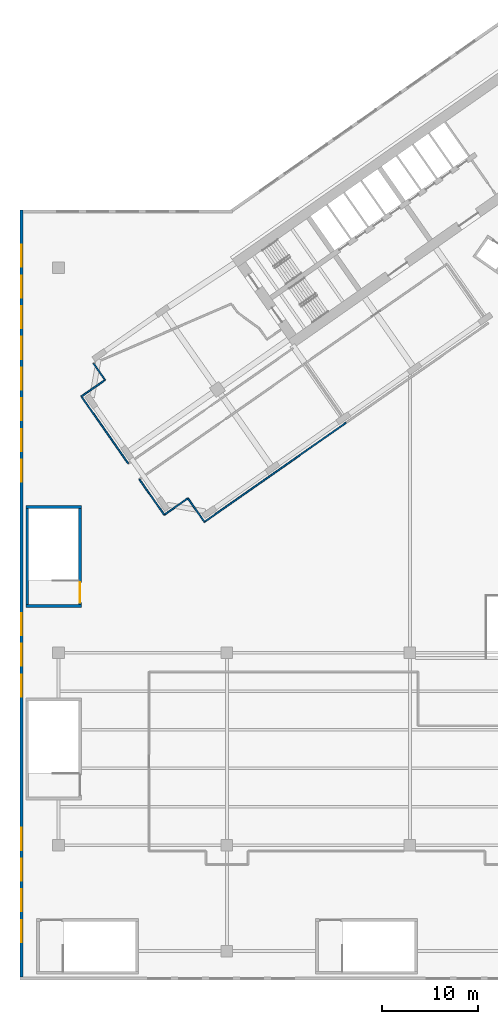
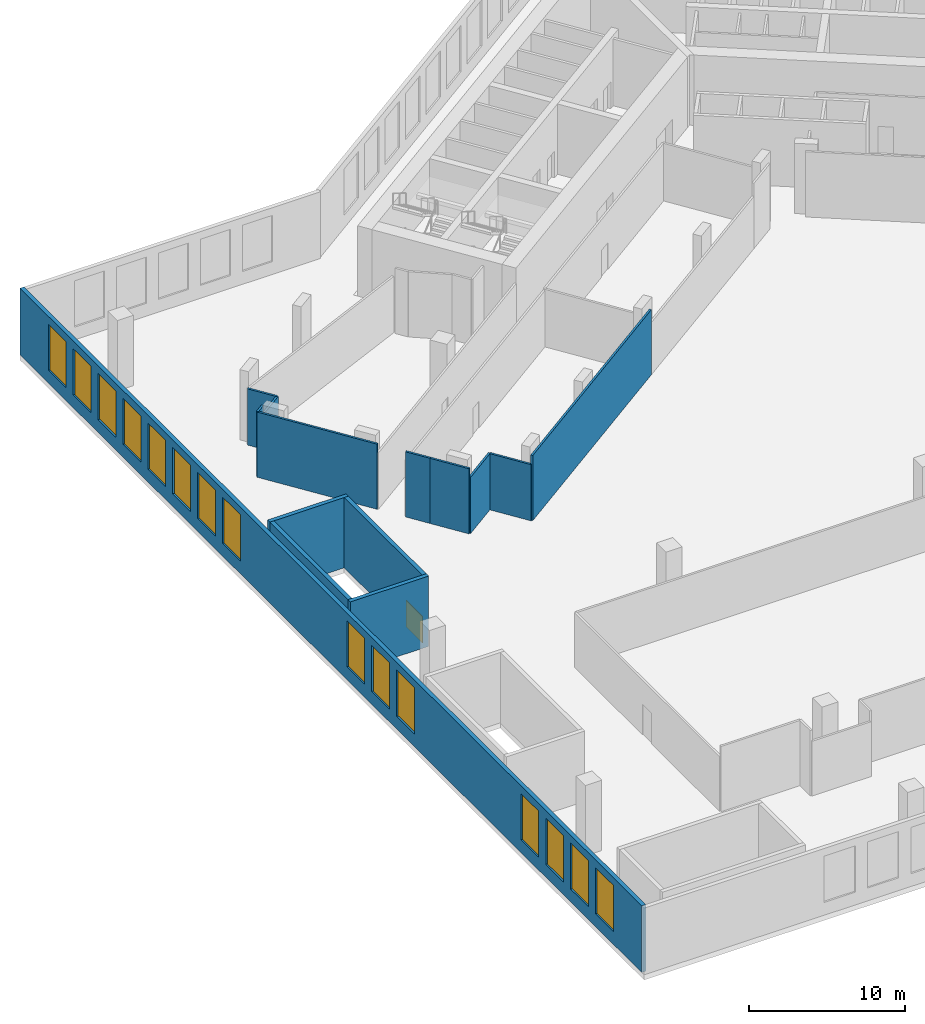
# One storey, part 4 of 15: 15 windows, 14 walls, 1 door, 16 openings.
"""IFC4 building model written with IfcOpenShell, lengths in metres."""

from ifc_helpers import new_model, si_unit, direction, frame, frame_2d, origin, place, context, subcontext, project, spatial, rectangle, extrude, material, layer, layer_set, type_object, element, fill, save


model = new_model("IFC4")

# Units and contexts
model_context = context("Model", 3, precision=1e-05, world=origin(), true_north=direction((0.0, 1.0)))
body_context = subcontext(model_context, "Body", "Model", "MODEL_VIEW")
ifc_project = project(units=[si_unit("LENGTHUNIT", "METRE"), si_unit("AREAUNIT", "SQUARE_METRE"), si_unit("VOLUMEUNIT", "CUBIC_METRE"), si_unit("PLANEANGLEUNIT", "RADIAN"), si_unit("MASSUNIT", "GRAM", prefix="KILO")], contexts=[model_context])

# Site, building, storey
site_placement = place(None, origin())
site = spatial("IfcSite", under=ifc_project, at=site_placement, CompositionType="ELEMENT")
building_placement = place(site_placement, origin())
building = spatial("IfcBuilding", under=site, at=building_placement, Name="Tel Ilan Convention Tower", CompositionType="ELEMENT")
storey_placement = place(building_placement, frame((0.0, 0.0, 43.0)))
storey = spatial("IfcBuildingStorey", under=building, at=storey_placement, Name="L06", CompositionType="ELEMENT", Elevation=43.0)

# Walls
ifc_material_1 = material(Name="Plasterboard on Steel Studs", Category="steel")
ifc_layer_1 = layer(ifc_material_1, 0.14990234375)
ifc_layer_set_1 = layer_set([ifc_layer_1], Name="Fire-rated Partition 150 EI 60")
wall_type_1 = type_object("IfcWallType", Name="Fire-rated Partition 150 EI 60", PredefinedType="PARTITIONING", material=ifc_layer_set_1)
wall_1_placement = place(storey_placement, frame((-35.016845703125, -33.676025390625, 0.0), z_axis=(0.0, 0.0, 1.0), x_axis=(0.81917072002, 0.573549763719, 0.0)))
element("IfcWall", 1, at=wall_1_placement, inside=storey, type_object=wall_type_1, Name="Partition 036", PredefinedType="PARTITIONING", context=body_context, shape_type="SweptSolid", body=[
    extrude(rectangle(XDim=2.998779296875, YDim=0.14990234375, at=frame_2d((1.49951171875, 0.0))), origin(), (0.0, 0.0, 1.0), 4.39990234375),
])
wall_2_placement = place(storey_placement, frame((-32.560302734375, -31.9560546875, 0.0), z_axis=(0.0, 0.0, 1.0), x_axis=(0.573604390867, -0.819132469615, 0.0)))
element("IfcWall", 2, at=wall_2_placement, inside=storey, type_object=wall_type_1, Name="Partition 037", PredefinedType="PARTITIONING", context=body_context, shape_type="SweptSolid", body=[
    extrude(rectangle(XDim=2.9990234375, YDim=0.14990234375, at=frame_2d((1.49951171875, 0.0))), origin(), (0.0, 0.0, 1.0), 4.39990234375),
])
wall_3_placement = place(storey_placement, frame((-30.838623046875, -34.412841796875, 0.0), z_axis=(0.0, 0.0, 1.0), x_axis=(0.819149083218, 0.573580665175, 0.0)))
element("IfcWall", 3, at=wall_3_placement, inside=storey, type_object=wall_type_1, Name="Partition 038", PredefinedType="PARTITIONING", context=body_context, shape_type="SweptSolid", body=[
    extrude(rectangle(XDim=18.001708984375, YDim=0.14990234375, at=frame_2d((9.0009765625, 0.0))), origin(), (0.0, 0.0, 1.0), 5.10009765625),
])
wall_4_placement = place(storey_placement, frame((-36.59912109375, -31.41845703125, 0.0), z_axis=(0.0, 0.0, 1.0), x_axis=(0.57362881286, -0.819115367367, 0.0)))
element("IfcWall", 4, at=wall_4_placement, inside=storey, type_object=wall_type_1, Name="Partition 039", PredefinedType="PARTITIONING", context=body_context, shape_type="SweptSolid", body=[
    extrude(rectangle(XDim=2.755859375, YDim=0.14990234375, at=frame_2d((1.3779296875, 0.0))), origin(), (0.0, 0.0, 1.0), 5.10009765625),
])
wall_5_placement = place(storey_placement, frame((-42.359375, -17.96142578125, 0.0), z_axis=(0.0, 0.0, 1.0), x_axis=(0.573603984281, -0.819132754331, 0.0)))
element("IfcWall", 5, at=wall_5_placement, inside=storey, type_object=wall_type_1, Name="Partition 043", PredefinedType="PARTITIONING", context=body_context, shape_type="SweptSolid", body=[
    extrude(rectangle(XDim=2.082275390625, YDim=0.14990234375, at=frame_2d((1.041015625, 0.0))), origin(), (0.0, 0.0, 1.0), 4.39990234375),
])
wall_6_placement = place(storey_placement, frame((-41.1650390625, -19.6669921875, 0.0), z_axis=(0.0, 0.0, 1.0), x_axis=(-0.819149945048, -0.573579434366, 0.0)))
element("IfcWall", 6, at=wall_6_placement, inside=storey, type_object=wall_type_1, Name="Partition 044", PredefinedType="PARTITIONING", context=body_context, shape_type="SweptSolid", body=[
    extrude(rectangle(XDim=2.23876953125, YDim=0.14990234375, at=frame_2d((1.119384765625, 0.0))), origin(), (0.0, 0.0, 1.0), 4.39990234375),
])
wall_7_placement = place(storey_placement, frame((-43.621826171875, -21.38720703125, 0.0), z_axis=(0.0, 0.0, 1.0), x_axis=(0.573487395822, -0.819214383928, 0.0)))
element("IfcWall", 7, at=wall_7_placement, inside=storey, type_object=wall_type_1, Name="Partition 061", PredefinedType="PARTITIONING", context=body_context, shape_type="SweptSolid", body=[
    extrude(rectangle(XDim=8.502685546875, YDim=0.14990234375, at=frame_2d((4.25146484375, 0.0))), origin(), (0.0, 0.0, 1.0), 5.10009765625),
])
wall_8_placement = place(storey_placement, frame((-43.0, -20.951904296875, 0.0), z_axis=(0.0, 0.0, 1.0), x_axis=(-0.819216809636, -0.573483930734, 0.0)))
element("IfcWall", 8, at=wall_8_placement, inside=storey, type_object=wall_type_1, Name="Partition 062", PredefinedType="PARTITIONING", context=body_context, shape_type="SweptSolid", body=[
    extrude(rectangle(XDim=0.759033203125, YDim=0.14990234375, at=frame_2d((0.37939453125, 0.0))), origin(), (0.0, 0.0, 1.0), 5.10009765625),
])
wall_9_placement = place(storey_placement, frame((-37.600341796875, -29.98828125, 0.0), z_axis=(0.0, 0.0, 1.0), x_axis=(0.573518712821, -0.819192459709, 0.0)))
element("IfcWall", 9, at=wall_9_placement, inside=storey, type_object=wall_type_1, Name="Partition 063", PredefinedType="PARTITIONING", context=body_context, shape_type="SweptSolid", body=[
    extrude(rectangle(XDim=1.744140625, YDim=0.14990234375, at=frame_2d((0.8720703125, 0.0))), origin(), (0.0, 0.0, 1.0), 5.10009765625),
])

# Wall, openings, windows
ifc_material_2 = material(Name="Bronze aluminium cladding panel on insulated steel frame", Category="steel")
ifc_layer_2 = layer(ifc_material_2, 0.300048828125)
ifc_layer_set_2 = layer_set([ifc_layer_2], Name="PODIUM CLADDING WALL 300")
wall_type_2 = type_object("IfcWallType", Name="PODIUM CLADDING WALL 300", PredefinedType="SOLIDWALL", material=ifc_layer_set_2)
wall_10_placement = place(storey_placement, frame((-49.85009765625, -81.699951171875, 0.0), z_axis=(0.0, 0.0, 1.0), x_axis=(0.0, 1.0, 0.0)))
wall_10 = element("IfcWall", 10, at=wall_10_placement, inside=storey, type_object=wall_type_2, Name="Podium cladding wall", PredefinedType="SOLIDWALL", context=body_context, shape_type="SweptSolid", body=[
    extrude(rectangle(XDim=79.699951171875, YDim=0.300048828125, at=frame_2d((39.85009765625, 0.0))), origin(), (0.0, 0.0, 1.0), 5.219970703125),
])
opening_1_placement = place(wall_10_placement, frame((3.637939453125, 0.0, 1.0)))
opening_1 = element("IfcOpeningElement", 11, at=opening_1_placement, cuts=wall_10, Name="Opening W-09.016", PredefinedType="OPENING", context=body_context, shape_type="SweptSolid", body=[
    extrude(rectangle(XDim=2.2880859375, YDim=3.6201171875, at=frame_2d((1.14404296875, 1.81005859375))), frame((0.0, 0.159912109375, 0.0), z_axis=(0.0, -1.0, 0.0), x_axis=(1.0, 0.0, 0.0)), (0.0, 0.0, 1.0), 0.320068359375),
])
opening_2_placement = place(wall_10_placement, frame((6.825927734375, 0.0, 1.0)))
opening_2 = element("IfcOpeningElement", 12, at=opening_2_placement, cuts=wall_10, Name="Opening W-09.017", PredefinedType="OPENING", context=body_context, shape_type="SweptSolid", body=[
    extrude(rectangle(XDim=2.2880859375, YDim=3.6201171875, at=frame_2d((1.14404296875, 1.81005859375))), frame((0.0, 0.159912109375, 0.0), z_axis=(0.0, -1.0, 0.0), x_axis=(1.0, 0.0, 0.0)), (0.0, 0.0, 1.0), 0.320068359375),
])
opening_3_placement = place(wall_10_placement, frame((10.013916015625, 0.0, 1.0)))
opening_3 = element("IfcOpeningElement", 13, at=opening_3_placement, cuts=wall_10, Name="Opening W-09.018", PredefinedType="OPENING", context=body_context, shape_type="SweptSolid", body=[
    extrude(rectangle(XDim=2.2880859375, YDim=3.6201171875, at=frame_2d((1.14404296875, 1.81005859375))), frame((0.0, 0.159912109375, 0.0), z_axis=(0.0, -1.0, 0.0), x_axis=(1.0, 0.0, 0.0)), (0.0, 0.0, 1.0), 0.320068359375),
])
opening_4_placement = place(wall_10_placement, frame((13.201904296875, 0.0, 1.0)))
opening_4 = element("IfcOpeningElement", 14, at=opening_4_placement, cuts=wall_10, Name="Opening W-09.019", PredefinedType="OPENING", context=body_context, shape_type="SweptSolid", body=[
    extrude(rectangle(XDim=2.2880859375, YDim=3.6201171875, at=frame_2d((1.14404296875, 1.81005859375))), frame((0.0, 0.159912109375, 0.0), z_axis=(0.0, -1.0, 0.0), x_axis=(1.0, 0.0, 0.0)), (0.0, 0.0, 1.0), 0.320068359375),
])
opening_5_placement = place(wall_10_placement, frame((29.14208984375, 0.0, 1.0)))
opening_5 = element("IfcOpeningElement", 15, at=opening_5_placement, cuts=wall_10, Name="Opening W-09.020", PredefinedType="OPENING", context=body_context, shape_type="SweptSolid", body=[
    extrude(rectangle(XDim=2.2880859375, YDim=3.6201171875, at=frame_2d((1.14404296875, 1.81005859375))), frame((0.0, 0.159912109375, 0.0), z_axis=(0.0, -1.0, 0.0), x_axis=(1.0, 0.0, 0.0)), (0.0, 0.0, 1.0), 0.320068359375),
])
opening_6_placement = place(wall_10_placement, frame((32.330078125, 0.0, 1.0)))
opening_6 = element("IfcOpeningElement", 16, at=opening_6_placement, cuts=wall_10, Name="Opening W-09.021", PredefinedType="OPENING", context=body_context, shape_type="SweptSolid", body=[
    extrude(rectangle(XDim=2.2880859375, YDim=3.6201171875, at=frame_2d((1.14404296875, 1.81005859375))), frame((0.0, 0.159912109375, 0.0), z_axis=(0.0, -1.0, 0.0), x_axis=(1.0, 0.0, 0.0)), (0.0, 0.0, 1.0), 0.320068359375),
])
opening_7_placement = place(wall_10_placement, frame((35.51806640625, 0.0, 1.0)))
opening_7 = element("IfcOpeningElement", 17, at=opening_7_placement, cuts=wall_10, Name="Opening W-09.022", PredefinedType="OPENING", context=body_context, shape_type="SweptSolid", body=[
    extrude(rectangle(XDim=2.2880859375, YDim=3.6201171875, at=frame_2d((1.14404296875, 1.81005859375))), frame((0.0, 0.159912109375, 0.0), z_axis=(0.0, -1.0, 0.0), x_axis=(1.0, 0.0, 0.0)), (0.0, 0.0, 1.0), 0.320068359375),
])
opening_8_placement = place(wall_10_placement, frame((51.4580078125, 0.0, 1.0)))
opening_8 = element("IfcOpeningElement", 18, at=opening_8_placement, cuts=wall_10, Name="Opening W-09.023", PredefinedType="OPENING", context=body_context, shape_type="SweptSolid", body=[
    extrude(rectangle(XDim=2.2880859375, YDim=3.6201171875, at=frame_2d((1.14404296875, 1.81005859375))), frame((0.0, 0.159912109375, 0.0), z_axis=(0.0, -1.0, 0.0), x_axis=(1.0, 0.0, 0.0)), (0.0, 0.0, 1.0), 0.320068359375),
])
opening_9_placement = place(wall_10_placement, frame((54.64599609375, 0.0, 1.0)))
opening_9 = element("IfcOpeningElement", 19, at=opening_9_placement, cuts=wall_10, Name="Opening W-09.024", PredefinedType="OPENING", context=body_context, shape_type="SweptSolid", body=[
    extrude(rectangle(XDim=2.2880859375, YDim=3.6201171875, at=frame_2d((1.14404296875, 1.81005859375))), frame((0.0, 0.159912109375, 0.0), z_axis=(0.0, -1.0, 0.0), x_axis=(1.0, 0.0, 0.0)), (0.0, 0.0, 1.0), 0.320068359375),
])
opening_10_placement = place(wall_10_placement, frame((57.833984375, 0.0, 1.0)))
opening_10 = element("IfcOpeningElement", 20, at=opening_10_placement, cuts=wall_10, Name="Opening W-09.025", PredefinedType="OPENING", context=body_context, shape_type="SweptSolid", body=[
    extrude(rectangle(XDim=2.2880859375, YDim=3.6201171875, at=frame_2d((1.14404296875, 1.81005859375))), frame((0.0, 0.159912109375, 0.0), z_axis=(0.0, -1.0, 0.0), x_axis=(1.0, 0.0, 0.0)), (0.0, 0.0, 1.0), 0.320068359375),
])
opening_11_placement = place(wall_10_placement, frame((61.02197265625, 0.0, 1.0)))
opening_11 = element("IfcOpeningElement", 21, at=opening_11_placement, cuts=wall_10, Name="Opening W-09.026", PredefinedType="OPENING", context=body_context, shape_type="SweptSolid", body=[
    extrude(rectangle(XDim=2.2880859375, YDim=3.6201171875, at=frame_2d((1.14404296875, 1.81005859375))), frame((0.0, 0.159912109375, 0.0), z_axis=(0.0, -1.0, 0.0), x_axis=(1.0, 0.0, 0.0)), (0.0, 0.0, 1.0), 0.320068359375),
])
opening_12_placement = place(wall_10_placement, frame((64.2099609375, 0.0, 1.0)))
opening_12 = element("IfcOpeningElement", 22, at=opening_12_placement, cuts=wall_10, Name="Opening W-09.027", PredefinedType="OPENING", context=body_context, shape_type="SweptSolid", body=[
    extrude(rectangle(XDim=2.2880859375, YDim=3.6201171875, at=frame_2d((1.14404296875, 1.81005859375))), frame((0.0, 0.159912109375, 0.0), z_axis=(0.0, -1.0, 0.0), x_axis=(1.0, 0.0, 0.0)), (0.0, 0.0, 1.0), 0.320068359375),
])
opening_13_placement = place(wall_10_placement, frame((67.39794921875, 0.0, 1.0)))
opening_13 = element("IfcOpeningElement", 23, at=opening_13_placement, cuts=wall_10, Name="Opening W-09.028", PredefinedType="OPENING", context=body_context, shape_type="SweptSolid", body=[
    extrude(rectangle(XDim=2.2880859375, YDim=3.6201171875, at=frame_2d((1.14404296875, 1.81005859375))), frame((0.0, 0.159912109375, 0.0), z_axis=(0.0, -1.0, 0.0), x_axis=(1.0, 0.0, 0.0)), (0.0, 0.0, 1.0), 0.320068359375),
])
opening_14_placement = place(wall_10_placement, frame((70.5859375, 0.0, 1.0)))
opening_14 = element("IfcOpeningElement", 24, at=opening_14_placement, cuts=wall_10, Name="Opening W-09.029", PredefinedType="OPENING", context=body_context, shape_type="SweptSolid", body=[
    extrude(rectangle(XDim=2.2880859375, YDim=3.6201171875, at=frame_2d((1.14404296875, 1.81005859375))), frame((0.0, 0.159912109375, 0.0), z_axis=(0.0, -1.0, 0.0), x_axis=(1.0, 0.0, 0.0)), (0.0, 0.0, 1.0), 0.320068359375),
])
opening_15_placement = place(wall_10_placement, frame((73.77392578125, 0.0, 1.0)))
opening_15 = element("IfcOpeningElement", 25, at=opening_15_placement, cuts=wall_10, Name="Opening W-09.030", PredefinedType="OPENING", context=body_context, shape_type="SweptSolid", body=[
    extrude(rectangle(XDim=2.2880859375, YDim=3.6201171875, at=frame_2d((1.14404296875, 1.81005859375))), frame((0.0, 0.159912109375, 0.0), z_axis=(0.0, -1.0, 0.0), x_axis=(1.0, 0.0, 0.0)), (0.0, 0.0, 1.0), 0.320068359375),
])
ifc_material_3 = material(Name="Aluminium framed glazing, bronze anodised, tinted glass", Category="aluminium")
window_type = type_object("IfcWindowType", Name="PODIUM WINDOW 2288x3620", PartitioningType="SINGLE_PANEL", PredefinedType="WINDOW", material=ifc_material_3)
window_1_placement = place(opening_1_placement, origin())
window_1 = element("IfcWindow", 26, at=window_1_placement, inside=storey, type_object=window_type, Name="Podium window", OverallHeight=3.6201171875, OverallWidth=2.2880859375, PartitioningType="SINGLE_PANEL", PredefinedType="WINDOW", context=body_context, shape_type="SweptSolid", body=[
    extrude(rectangle(XDim=2.2880859375, YDim=3.6201171875, at=frame_2d((1.14404296875, 1.81005859375))), frame((0.0, 0.030029296875, 0.0), z_axis=(0.0, -1.0, 0.0), x_axis=(1.0, 0.0, 0.0)), (0.0, 0.0, 1.0), 0.06005859375),
])
fill(opening_1, window_1)
window_2_placement = place(opening_2_placement, origin())
window_2 = element("IfcWindow", 27, at=window_2_placement, inside=storey, type_object=window_type, Name="Podium window", OverallHeight=3.6201171875, OverallWidth=2.2880859375, PartitioningType="SINGLE_PANEL", PredefinedType="WINDOW", context=body_context, shape_type="SweptSolid", body=[
    extrude(rectangle(XDim=2.2880859375, YDim=3.6201171875, at=frame_2d((1.14404296875, 1.81005859375))), frame((0.0, 0.030029296875, 0.0), z_axis=(0.0, -1.0, 0.0), x_axis=(1.0, 0.0, 0.0)), (0.0, 0.0, 1.0), 0.06005859375),
])
fill(opening_2, window_2)
window_3_placement = place(opening_3_placement, origin())
window_3 = element("IfcWindow", 28, at=window_3_placement, inside=storey, type_object=window_type, Name="Podium window", OverallHeight=3.6201171875, OverallWidth=2.2880859375, PartitioningType="SINGLE_PANEL", PredefinedType="WINDOW", context=body_context, shape_type="SweptSolid", body=[
    extrude(rectangle(XDim=2.2880859375, YDim=3.6201171875, at=frame_2d((1.14404296875, 1.81005859375))), frame((0.0, 0.030029296875, 0.0), z_axis=(0.0, -1.0, 0.0), x_axis=(1.0, 0.0, 0.0)), (0.0, 0.0, 1.0), 0.06005859375),
])
fill(opening_3, window_3)
window_4_placement = place(opening_4_placement, origin())
window_4 = element("IfcWindow", 29, at=window_4_placement, inside=storey, type_object=window_type, Name="Podium window", OverallHeight=3.6201171875, OverallWidth=2.2880859375, PartitioningType="SINGLE_PANEL", PredefinedType="WINDOW", context=body_context, shape_type="SweptSolid", body=[
    extrude(rectangle(XDim=2.2880859375, YDim=3.6201171875, at=frame_2d((1.14404296875, 1.81005859375))), frame((0.0, 0.030029296875, 0.0), z_axis=(0.0, -1.0, 0.0), x_axis=(1.0, 0.0, 0.0)), (0.0, 0.0, 1.0), 0.06005859375),
])
fill(opening_4, window_4)
window_5_placement = place(opening_5_placement, origin())
window_5 = element("IfcWindow", 30, at=window_5_placement, inside=storey, type_object=window_type, Name="Podium window", OverallHeight=3.6201171875, OverallWidth=2.2880859375, PartitioningType="SINGLE_PANEL", PredefinedType="WINDOW", context=body_context, shape_type="SweptSolid", body=[
    extrude(rectangle(XDim=2.2880859375, YDim=3.6201171875, at=frame_2d((1.14404296875, 1.81005859375))), frame((0.0, 0.030029296875, 0.0), z_axis=(0.0, -1.0, 0.0), x_axis=(1.0, 0.0, 0.0)), (0.0, 0.0, 1.0), 0.06005859375),
])
fill(opening_5, window_5)
window_6_placement = place(opening_6_placement, origin())
window_6 = element("IfcWindow", 31, at=window_6_placement, inside=storey, type_object=window_type, Name="Podium window", OverallHeight=3.6201171875, OverallWidth=2.2880859375, PartitioningType="SINGLE_PANEL", PredefinedType="WINDOW", context=body_context, shape_type="SweptSolid", body=[
    extrude(rectangle(XDim=2.2880859375, YDim=3.6201171875, at=frame_2d((1.14404296875, 1.81005859375))), frame((0.0, 0.030029296875, 0.0), z_axis=(0.0, -1.0, 0.0), x_axis=(1.0, 0.0, 0.0)), (0.0, 0.0, 1.0), 0.06005859375),
])
fill(opening_6, window_6)
window_7_placement = place(opening_7_placement, origin())
window_7 = element("IfcWindow", 32, at=window_7_placement, inside=storey, type_object=window_type, Name="Podium window", OverallHeight=3.6201171875, OverallWidth=2.2880859375, PartitioningType="SINGLE_PANEL", PredefinedType="WINDOW", context=body_context, shape_type="SweptSolid", body=[
    extrude(rectangle(XDim=2.2880859375, YDim=3.6201171875, at=frame_2d((1.14404296875, 1.81005859375))), frame((0.0, 0.030029296875, 0.0), z_axis=(0.0, -1.0, 0.0), x_axis=(1.0, 0.0, 0.0)), (0.0, 0.0, 1.0), 0.06005859375),
])
fill(opening_7, window_7)
window_8_placement = place(opening_8_placement, origin())
window_8 = element("IfcWindow", 33, at=window_8_placement, inside=storey, type_object=window_type, Name="Podium window", OverallHeight=3.6201171875, OverallWidth=2.2880859375, PartitioningType="SINGLE_PANEL", PredefinedType="WINDOW", context=body_context, shape_type="SweptSolid", body=[
    extrude(rectangle(XDim=2.2880859375, YDim=3.6201171875, at=frame_2d((1.14404296875, 1.81005859375))), frame((0.0, 0.030029296875, 0.0), z_axis=(0.0, -1.0, 0.0), x_axis=(1.0, 0.0, 0.0)), (0.0, 0.0, 1.0), 0.06005859375),
])
fill(opening_8, window_8)
window_9_placement = place(opening_9_placement, origin())
window_9 = element("IfcWindow", 34, at=window_9_placement, inside=storey, type_object=window_type, Name="Podium window", OverallHeight=3.6201171875, OverallWidth=2.2880859375, PartitioningType="SINGLE_PANEL", PredefinedType="WINDOW", context=body_context, shape_type="SweptSolid", body=[
    extrude(rectangle(XDim=2.2880859375, YDim=3.6201171875, at=frame_2d((1.14404296875, 1.81005859375))), frame((0.0, 0.030029296875, 0.0), z_axis=(0.0, -1.0, 0.0), x_axis=(1.0, 0.0, 0.0)), (0.0, 0.0, 1.0), 0.06005859375),
])
fill(opening_9, window_9)
window_10_placement = place(opening_10_placement, origin())
window_10 = element("IfcWindow", 35, at=window_10_placement, inside=storey, type_object=window_type, Name="Podium window", OverallHeight=3.6201171875, OverallWidth=2.2880859375, PartitioningType="SINGLE_PANEL", PredefinedType="WINDOW", context=body_context, shape_type="SweptSolid", body=[
    extrude(rectangle(XDim=2.2880859375, YDim=3.6201171875, at=frame_2d((1.14404296875, 1.81005859375))), frame((0.0, 0.030029296875, 0.0), z_axis=(0.0, -1.0, 0.0), x_axis=(1.0, 0.0, 0.0)), (0.0, 0.0, 1.0), 0.06005859375),
])
fill(opening_10, window_10)
window_11_placement = place(opening_11_placement, origin())
window_11 = element("IfcWindow", 36, at=window_11_placement, inside=storey, type_object=window_type, Name="Podium window", OverallHeight=3.6201171875, OverallWidth=2.2880859375, PartitioningType="SINGLE_PANEL", PredefinedType="WINDOW", context=body_context, shape_type="SweptSolid", body=[
    extrude(rectangle(XDim=2.2880859375, YDim=3.6201171875, at=frame_2d((1.14404296875, 1.81005859375))), frame((0.0, 0.030029296875, 0.0), z_axis=(0.0, -1.0, 0.0), x_axis=(1.0, 0.0, 0.0)), (0.0, 0.0, 1.0), 0.06005859375),
])
fill(opening_11, window_11)
window_12_placement = place(opening_12_placement, origin())
window_12 = element("IfcWindow", 37, at=window_12_placement, inside=storey, type_object=window_type, Name="Podium window", OverallHeight=3.6201171875, OverallWidth=2.2880859375, PartitioningType="SINGLE_PANEL", PredefinedType="WINDOW", context=body_context, shape_type="SweptSolid", body=[
    extrude(rectangle(XDim=2.2880859375, YDim=3.6201171875, at=frame_2d((1.14404296875, 1.81005859375))), frame((0.0, 0.030029296875, 0.0), z_axis=(0.0, -1.0, 0.0), x_axis=(1.0, 0.0, 0.0)), (0.0, 0.0, 1.0), 0.06005859375),
])
fill(opening_12, window_12)
window_13_placement = place(opening_13_placement, origin())
window_13 = element("IfcWindow", 38, at=window_13_placement, inside=storey, type_object=window_type, Name="Podium window", OverallHeight=3.6201171875, OverallWidth=2.2880859375, PartitioningType="SINGLE_PANEL", PredefinedType="WINDOW", context=body_context, shape_type="SweptSolid", body=[
    extrude(rectangle(XDim=2.2880859375, YDim=3.6201171875, at=frame_2d((1.14404296875, 1.81005859375))), frame((0.0, 0.030029296875, 0.0), z_axis=(0.0, -1.0, 0.0), x_axis=(1.0, 0.0, 0.0)), (0.0, 0.0, 1.0), 0.06005859375),
])
fill(opening_13, window_13)
window_14_placement = place(opening_14_placement, origin())
window_14 = element("IfcWindow", 39, at=window_14_placement, inside=storey, type_object=window_type, Name="Podium window", OverallHeight=3.6201171875, OverallWidth=2.2880859375, PartitioningType="SINGLE_PANEL", PredefinedType="WINDOW", context=body_context, shape_type="SweptSolid", body=[
    extrude(rectangle(XDim=2.2880859375, YDim=3.6201171875, at=frame_2d((1.14404296875, 1.81005859375))), frame((0.0, 0.030029296875, 0.0), z_axis=(0.0, -1.0, 0.0), x_axis=(1.0, 0.0, 0.0)), (0.0, 0.0, 1.0), 0.06005859375),
])
fill(opening_14, window_14)
window_15_placement = place(opening_15_placement, origin())
window_15 = element("IfcWindow", 40, at=window_15_placement, inside=storey, type_object=window_type, Name="Podium window", OverallHeight=3.6201171875, OverallWidth=2.2880859375, PartitioningType="SINGLE_PANEL", PredefinedType="WINDOW", context=body_context, shape_type="SweptSolid", body=[
    extrude(rectangle(XDim=2.2880859375, YDim=3.6201171875, at=frame_2d((1.14404296875, 1.81005859375))), frame((0.0, 0.030029296875, 0.0), z_axis=(0.0, -1.0, 0.0), x_axis=(1.0, 0.0, 0.0)), (0.0, 0.0, 1.0), 0.06005859375),
])
fill(opening_15, window_15)

# Walls
ifc_material_4 = material(Name="Concrete C40/50", Category="concrete")
ifc_layer_3 = layer(ifc_material_4, 0.300048828125)
ifc_layer_set_3 = layer_set([ifc_layer_3], Name="Stair Enclosure Wall 300 mm C40/50")
wall_type_3 = type_object("IfcWallType", Name="Stair Enclosure Wall 300 mm C40/50", PredefinedType="SOLIDWALL", material=ifc_layer_set_3)
for number, where, z_axis, x_axis, name in (
    (41, (-49.39990234375, -43.14990234375, 0.0), (0.0, 0.0, 1.0), (1.0, 0.0, 0.0), "P7 stair enclosure wall S L06"),
    (42, (-49.39990234375, -32.85009765625, 0.0), (0.0, 0.0, 1.0), (1.0, 0.0, 0.0), "P7 stair enclosure wall N L06"),
):
    element("IfcWall", number, at=place(storey_placement, frame(where, z_axis=z_axis, x_axis=x_axis)), inside=storey, type_object=wall_type_3, Name=name, PredefinedType="SOLIDWALL", context=body_context, shape_type="SweptSolid", body=[
        extrude(rectangle(XDim=5.7998046875, YDim=0.300048828125, at=frame_2d((2.89990234375, 0.0))), origin(), (0.0, 0.0, 1.0), 5.5),
    ])
wall_11_placement = place(storey_placement, frame((-49.25, -43.0, 0.0), z_axis=(0.0, 0.0, 1.0), x_axis=(0.0, 1.0, 0.0)))
element("IfcWall", 43, at=wall_11_placement, inside=storey, type_object=wall_type_3, Name="P7 stair enclosure wall W L06", PredefinedType="SOLIDWALL", context=body_context, shape_type="SweptSolid", body=[
    extrude(rectangle(XDim=10.0, YDim=0.300048828125, at=frame_2d((5.0, 0.0))), origin(), (0.0, 0.0, 1.0), 5.5),
])

# Wall, opening, door
wall_12_placement = place(storey_placement, frame((-43.75, -43.0, 0.0), z_axis=(0.0, 0.0, 1.0), x_axis=(0.0, 1.0, 0.0)))
wall_12 = element("IfcWall", 44, at=wall_12_placement, inside=storey, type_object=wall_type_3, Name="P7 stair enclosure wall E L06", PredefinedType="SOLIDWALL", context=body_context, shape_type="SweptSolid", body=[
    extrude(rectangle(XDim=10.0, YDim=0.300048828125, at=frame_2d((5.0, 0.0))), origin(), (0.0, 0.0, 1.0), 5.5),
])
opening_16_placement = place(wall_12_placement, frame((0.21240234375, 0.0, 0.0)))
opening_16 = element("IfcOpeningElement", 45, at=opening_16_placement, cuts=wall_12, Name="Opening PD709", PredefinedType="OPENING", context=body_context, shape_type="SweptSolid", body=[
    extrude(rectangle(XDim=2.10009765625, YDim=2.10009765625, at=frame_2d((1.050048828125, 1.050048828125))), frame((0.0, 0.159912109375, 0.0), z_axis=(0.0, -1.0, 0.0), x_axis=(1.0, 0.0, 0.0)), (0.0, 0.0, 1.0), 0.320068359375),
])
ifc_material_5 = material(Name="Galvanised Steel Door Leaf", Category="steel")
door_type = type_object("IfcDoorType", Name="Stair Fire Door 2100 x 2100 FD60S", OperationType="NOTDEFINED", PredefinedType="DOOR", material=ifc_material_5)
door_placement = place(opening_16_placement, origin())
door = element("IfcDoor", 46, at=door_placement, inside=storey, type_object=door_type, Name="Stair P7 floor door", OperationType="DOUBLE_DOOR_SINGLE_SWING", OverallHeight=2.10009765625, OverallWidth=2.10009765625, PredefinedType="DOOR", context=body_context, shape_type="SweptSolid", body=[
    extrude(rectangle(XDim=2.10009765625, YDim=2.10009765625, at=frame_2d((1.050048828125, 1.050048828125))), frame((0.0, 0.02490234375, 0.0), z_axis=(0.0, -1.0, 0.0), x_axis=(1.0, 0.0, 0.0)), (0.0, 0.0, 1.0), 0.050048828125),
])
fill(opening_16, door)

save(model, "model.ifc")
